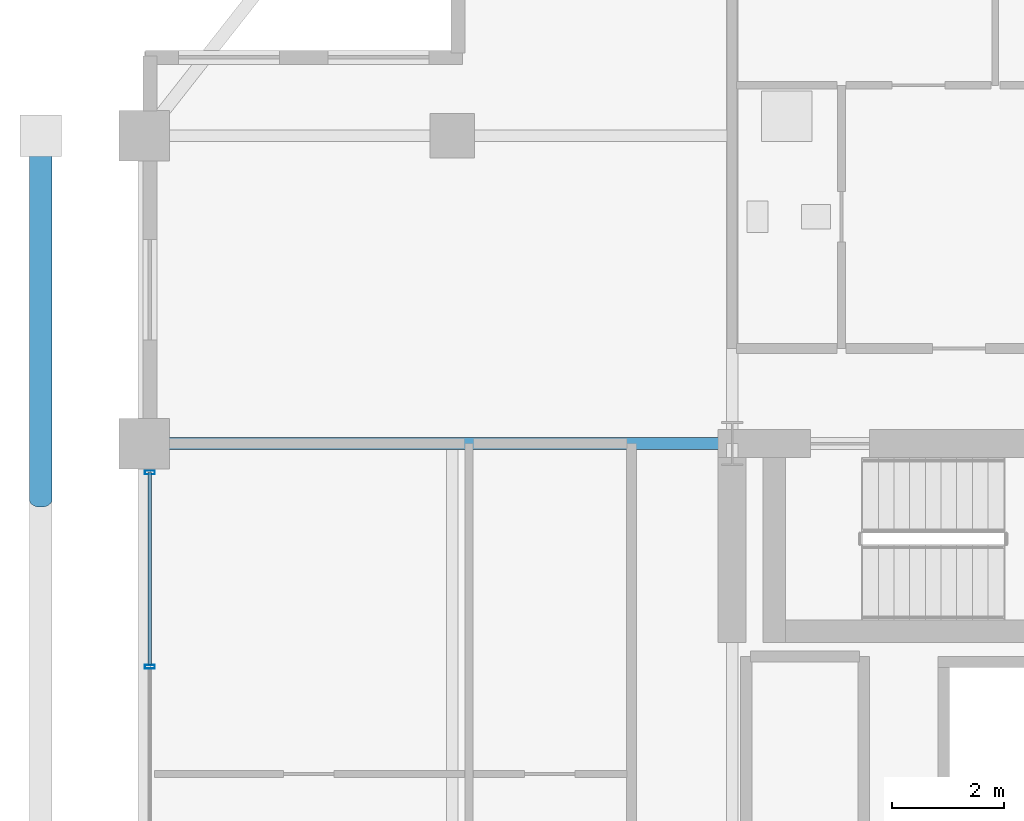
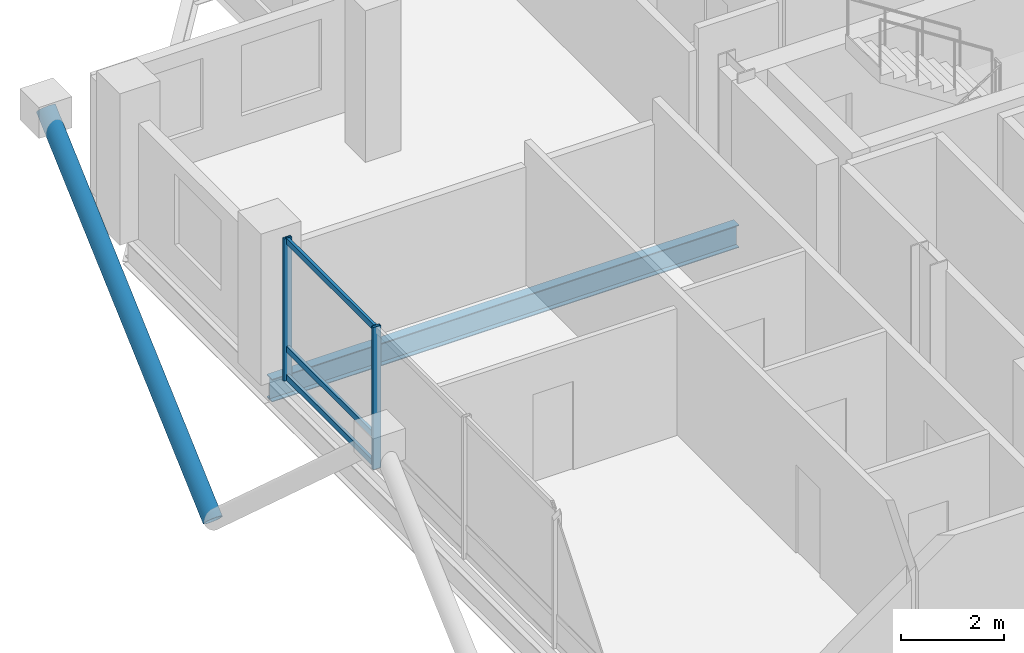
# One storey, part 9 of 24: 6 members, 1 beam, 1 element without a shape of its own.
"""IFC4 building model written with IfcOpenShell, lengths in metres."""

from ifc_helpers import new_model, si_unit, direction, frame, origin, origin_2d, place, context, subcontext, project, spatial, hollow_rectangle, hollow_circle, i_section, extrude, material, layer, layer_set, material_profile, profile_set, type_object, element, aggregate, save


model = new_model("IFC4")

# Units and contexts
model_context = context("Model", 3, precision=1e-05, world=origin(), true_north=direction((0.0, 1.0)))
body_context = subcontext(model_context, "Body", "Model", "MODEL_VIEW")
ifc_project = project(units=[si_unit("LENGTHUNIT", "METRE"), si_unit("AREAUNIT", "SQUARE_METRE"), si_unit("VOLUMEUNIT", "CUBIC_METRE"), si_unit("PLANEANGLEUNIT", "RADIAN"), si_unit("MASSUNIT", "GRAM", prefix="KILO")], contexts=[model_context])

# Site, building, storey
site_placement = place(None, origin())
site = spatial("IfcSite", under=ifc_project, at=site_placement, CompositionType="ELEMENT")
building_placement = place(site_placement, origin())
building = spatial("IfcBuilding", under=site, at=building_placement, Name="Barlavira Tower and Art Museum", CompositionType="ELEMENT")
storey_placement = place(building_placement, frame((0.0, 0.0, 225.89990234375)))
storey = spatial("IfcBuildingStorey", under=building, at=storey_placement, Name="L58", CompositionType="ELEMENT", Elevation=225.89990234375)

# Curtain wall, members
ifc_material_1 = material(Name="Low-iron coastal laminated glass", Category="glass")
ifc_layer = layer(ifc_material_1, 0.2099609375, Name="Low-iron coastal laminated glass")
ifc_layer_set = layer_set([ifc_layer], Name="Low-iron coastal laminated glass")
curtain_wall_type = type_object("IfcCurtainWallType", Name="Pale-Metal Unitised Curtain Wall Zone 4", PredefinedType="NOTDEFINED", material=ifc_layer_set)
curtain_wall_placement = place(storey_placement, origin())
curtain_wall = element("IfcCurtainWall", 1, at=curtain_wall_placement, inside=storey, type_object=curtain_wall_type, Name="L58 Curtain Wall CW4-L58-W-B3", PredefinedType="NOTDEFINED")
ifc_material_2 = material(Name="Pale anodised aluminium", Category="aluminium")
ifc_material_profile_1 = material_profile(ifc_material_2, hollow_rectangle(XDim=0.06494140625, YDim=0.179931640625, WallThickness=0.00390625, at=origin_2d()), Name="ALU-MULL 65x180x4")
ifc_profile_set_1 = profile_set([ifc_material_profile_1], Name="Pale anodised aluminium")
member_type_1 = type_object("IfcMemberType", Name="Curtain Wall Pale-Metal Mullion 65x180", PredefinedType="MULLION", material=ifc_profile_set_1)
member_1_placement = place(storey_placement, frame((-16.89990234375, 6.985107421875, 0.0), z_axis=(0.0, 0.0, 1.0), x_axis=(0.0, -1.0, 0.0)))
member_1 = element("IfcMember", 2, at=member_1_placement, type_object=member_type_1, Name="CW4-L58-W-B3 Mullion 0", PredefinedType="MULLION", context=body_context, shape_type="SweptSolid", body=[
    extrude(hollow_rectangle(XDim=0.06494140625, YDim=0.179931640625, WallThickness=0.00390625, at=origin_2d()), origin(), (0.0, 0.0, 1.0), 3.380126953125),
])
member_2_placement = place(storey_placement, frame((-16.89990234375, 3.514892578125, 0.0), z_axis=(0.0, 0.0, 1.0), x_axis=(0.0, -1.0, 0.0)))
member_2 = element("IfcMember", 3, at=member_2_placement, type_object=member_type_1, Name="CW4-L58-W-B3 Mullion 1", PredefinedType="MULLION", context=body_context, shape_type="SweptSolid", body=[
    extrude(hollow_rectangle(XDim=0.06494140625, YDim=0.179931640625, WallThickness=0.00390625, at=origin_2d()), origin(), (0.0, 0.0, 1.0), 3.380126953125),
])
ifc_material_profile_2 = material_profile(ifc_material_2, hollow_rectangle(XDim=0.06494140625, YDim=0.139892578125, WallThickness=0.00390625, at=origin_2d()), Name="ALU-TRAN 65x140x4")
ifc_profile_set_2 = profile_set([ifc_material_profile_2], Name="Pale anodised aluminium")
member_type_2 = type_object("IfcMemberType", Name="Curtain Wall Pale-Metal Transom 65x140", PredefinedType="USERDEFINED", material=ifc_profile_set_2)
member_3_placement = place(storey_placement, frame((-16.89990234375, 6.985107421875, 0.070068359375), z_axis=(0.0, -1.0, 0.0), x_axis=(1.0, 0.0, 0.0)))
member_3 = element("IfcMember", 4, at=member_3_placement, type_object=member_type_2, Name="CW4-L58-W-B3 Transom 0.1", ObjectType="TRANSOM", PredefinedType="USERDEFINED", context=body_context, shape_type="SweptSolid", body=[
    extrude(hollow_rectangle(XDim=0.06494140625, YDim=0.139892578125, WallThickness=0.00390625, at=origin_2d()), origin(), (0.0, 0.0, 1.0), 3.425048828125),
])
member_4_placement = place(storey_placement, frame((-16.89990234375, 6.985107421875, 0.744140625), z_axis=(0.0, -1.0, 0.0), x_axis=(1.0, 0.0, 0.0)))
member_4 = element("IfcMember", 5, at=member_4_placement, type_object=member_type_2, Name="CW4-L58-W-B3 Transom 0.2", ObjectType="TRANSOM", PredefinedType="USERDEFINED", context=body_context, shape_type="SweptSolid", body=[
    extrude(hollow_rectangle(XDim=0.06494140625, YDim=0.139892578125, WallThickness=0.00390625, at=origin_2d()), origin(), (0.0, 0.0, 1.0), 3.425048828125),
])
member_5_placement = place(storey_placement, frame((-16.89990234375, 6.985107421875, 3.31005859375), z_axis=(0.0, -1.0, 0.0), x_axis=(1.0, 0.0, 0.0)))
member_5 = element("IfcMember", 6, at=member_5_placement, type_object=member_type_2, Name="CW4-L58-W-B3 Transom 0.3", ObjectType="TRANSOM", PredefinedType="USERDEFINED", context=body_context, shape_type="SweptSolid", body=[
    extrude(hollow_rectangle(XDim=0.06494140625, YDim=0.139892578125, WallThickness=0.00390625, at=origin_2d()), origin(), (0.0, 0.0, 1.0), 3.425048828125),
])
aggregate(curtain_wall, [member_1, member_2, member_3, member_4, member_5])

# Member
ifc_material_3 = material(Name="Steel S355", Category="steel")
ifc_material_profile_3 = material_profile(ifc_material_3, hollow_circle(Radius=0.203125, WallThickness=0.01611328125, at=origin_2d()), Name="CHS 406.4x16.0")
ifc_profile_set_3 = profile_set([ifc_material_profile_3], Name="Steel S355")
member_type_3 = type_object("IfcMemberType", Name="Pale-Metal Exoskeleton Diagrid Tube CHS 406x16 Steel S355", PredefinedType="BRACE", material=ifc_profile_set_3)
member_6_placement = place(storey_placement, frame((-18.85009765625, 6.5, -2.369873046875), z_axis=(0.0, 0.74330247547, 0.668955476815), x_axis=(-1.0, 0.0, 0.0)))
element("IfcMember", 7, at=member_6_placement, inside=storey, type_object=member_type_3, Name="L58 Exoskeleton Diagrid Tube W", PredefinedType="BRACE", context=body_context, shape_type="SweptSolid", body=[
    extrude(hollow_circle(Radius=0.203125, WallThickness=0.01611328125, at=origin_2d()), origin(), (0.0, 0.0, 1.0), 8.744873046875),
])

# Beam
ifc_material_profile_4 = material_profile(ifc_material_3, i_section(OverallWidth=0.2109375, OverallDepth=0.5390625, WebThickness=0.01171875, FlangeThickness=0.018798828125, at=origin_2d()), Name="W530x109.0")
ifc_profile_set_4 = profile_set([ifc_material_profile_4], Name="Steel S355")
beam_type = type_object("IfcBeamType", Name="Zone 3-4 Primary Floor Girder W530x109 Steel S355", PredefinedType="BEAM", material=ifc_profile_set_4)
beam_placement = place(storey_placement, frame((-17.0, 7.5, -0.489501953125), z_axis=(1.0, 0.0, 0.0), x_axis=(0.0, 1.0, 0.0)))
element("IfcBeam", 8, at=beam_placement, inside=storey, type_object=beam_type, Name="L58 Girder R-W2", PredefinedType="BEAM", context=body_context, shape_type="SweptSolid", body=[
    extrude(i_section(OverallWidth=0.2109375, OverallDepth=0.5390625, WebThickness=0.01171875, FlangeThickness=0.018798828125, at=origin_2d()), origin(), (0.0, 0.0, 1.0), 10.5),
])

save(model, "model.ifc")
